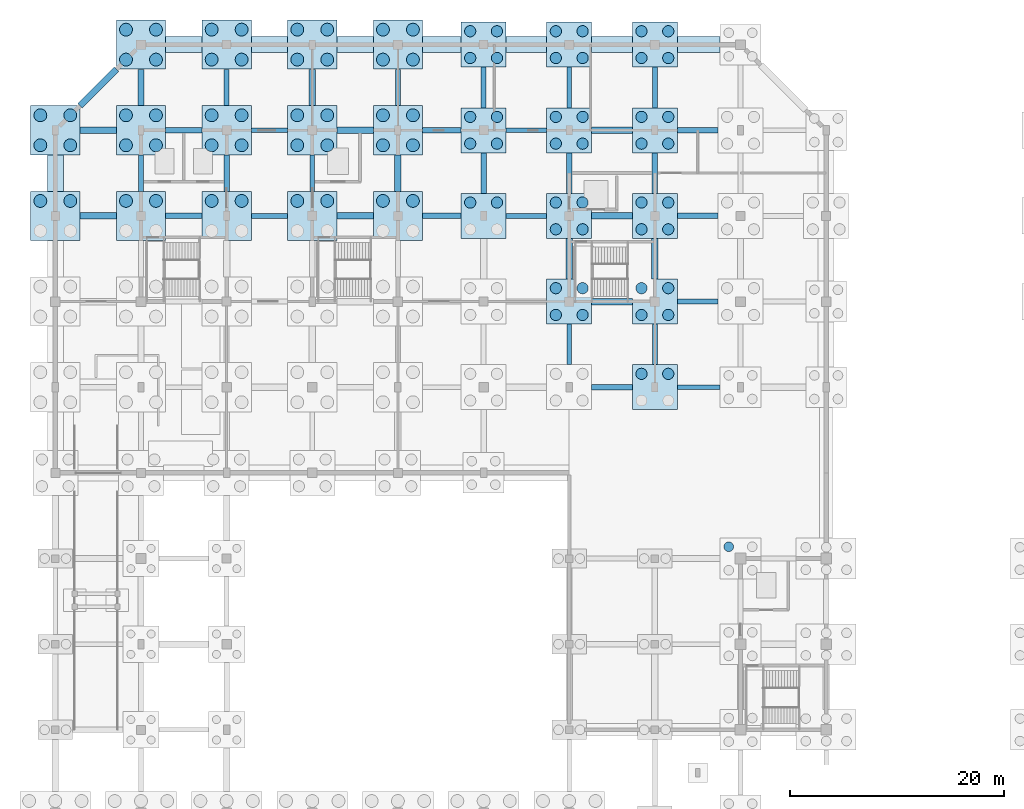
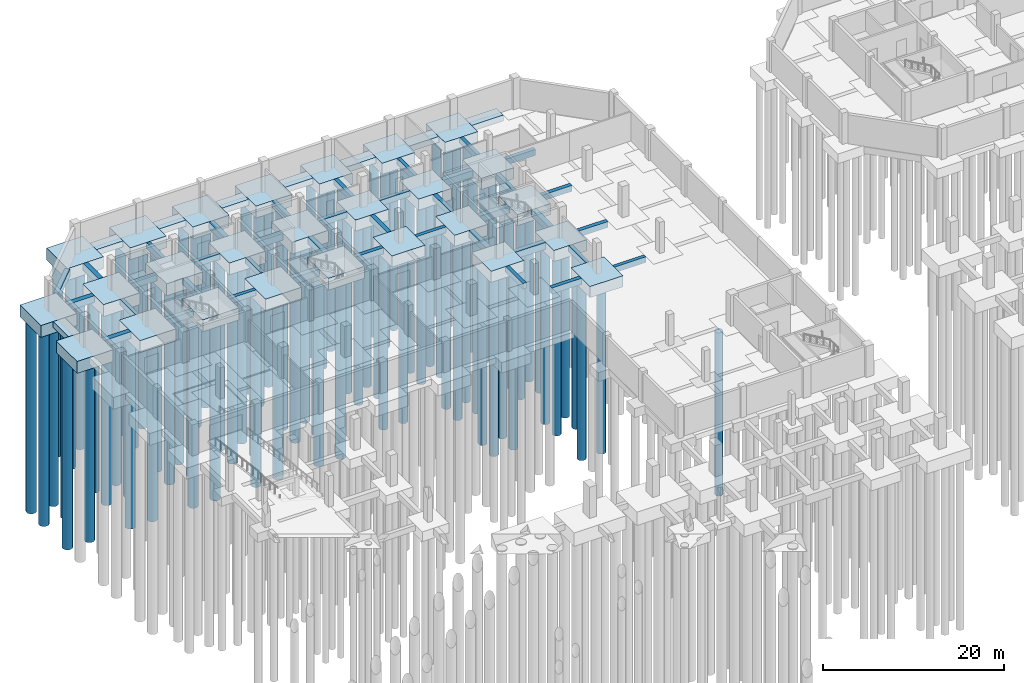
# One storey, part 6 of 32: 91 piles, 73 footings.
"""IFC4 building model written with IfcOpenShell, lengths in metres."""

from ifc_helpers import new_model, si_unit, direction, frame, origin, origin_2d, place, context, subcontext, project, spatial, polyline, rectangle, circle, outline, extrude, material, material_profile, profile_set, type_object, element, save


model = new_model("IFC4")

# Units and contexts
model_context = context("Model", 3, precision=1e-05, world=origin(), true_north=direction((0.0, 1.0)))
body_context = subcontext(model_context, "Body", "Model", "MODEL_VIEW")
ifc_project = project(units=[si_unit("LENGTHUNIT", "METRE"), si_unit("AREAUNIT", "SQUARE_METRE"), si_unit("VOLUMEUNIT", "CUBIC_METRE"), si_unit("PLANEANGLEUNIT", "RADIAN"), si_unit("MASSUNIT", "GRAM", prefix="KILO")], contexts=[model_context])

# Site, building, storey
site_placement = place(None, origin())
site = spatial("IfcSite", under=ifc_project, at=site_placement, CompositionType="ELEMENT")
building_placement = place(site_placement, origin())
building = spatial("IfcBuilding", under=site, at=building_placement, Name="Tenunan Teduh Sports Hall", CompositionType="ELEMENT")
storey_placement = place(building_placement, frame((0.0, 0.0, -4.199951171875)))
storey = spatial("IfcBuildingStorey", under=building, at=storey_placement, Name="B1", CompositionType="ELEMENT", Elevation=-4.199951171875)

# Footings
ifc_material_1 = material(Name="Concrete C40/50", Category="concrete")
ifc_material_profile_1 = material_profile(ifc_material_1, rectangle(XDim=0.449951171875, YDim=0.75, at=origin_2d()), Name="RCB 450x750")
ifc_profile_set_1 = profile_set([ifc_material_profile_1], Name="Concrete C40/50")
footing_type_1 = type_object("IfcFootingType", Name="GB-450x750", PredefinedType="FOOTING_BEAM", material=ifc_profile_set_1)
footing_1_placement = place(storey_placement, frame((64.10205078125, 86.0, -0.375), z_axis=(1.0, 0.0, 0.0), x_axis=(0.0, 1.0, 0.0)))
element("IfcFooting", 1, at=footing_1_placement, inside=storey, type_object=footing_type_1, Name="FTG-GBX-108", PredefinedType="FOOTING_BEAM", context=body_context, shape_type="SweptSolid", body=[
    extrude(rectangle(XDim=0.449951171875, YDim=0.75, at=origin_2d()), origin(), (0.0, 0.0, 1.0), 3.995849609375),
])
footing_2_placement = place(storey_placement, frame((24.302001953125, 102.0, -0.375), z_axis=(1.0, 0.0, 0.0), x_axis=(0.0, 1.0, 0.0)))
element("IfcFooting", 2, at=footing_2_placement, inside=storey, type_object=footing_type_1, Name="FTG-GBX-131", PredefinedType="FOOTING_BEAM", context=body_context, shape_type="SweptSolid", body=[
    extrude(rectangle(XDim=0.449951171875, YDim=0.75, at=origin_2d()), origin(), (0.0, 0.0, 1.0), 3.39599609375),
])
footing_3_placement = place(storey_placement, frame((48.10205078125, 102.0, -0.375), z_axis=(1.0, 0.0, 0.0), x_axis=(0.0, 1.0, 0.0)))
element("IfcFooting", 3, at=footing_3_placement, inside=storey, type_object=footing_type_1, Name="FTG-GBX-134", PredefinedType="FOOTING_BEAM", context=body_context, shape_type="SweptSolid", body=[
    extrude(rectangle(XDim=0.449951171875, YDim=0.75, at=origin_2d()), origin(), (0.0, 0.0, 1.0), 3.7958984375),
])
footing_4_placement = place(storey_placement, frame((24.302001953125, 110.0, -0.375), z_axis=(1.0, 0.0, 0.0), x_axis=(0.0, 1.0, 0.0)))
element("IfcFooting", 4, at=footing_4_placement, inside=storey, type_object=footing_type_1, Name="FTG-GBX-149", PredefinedType="FOOTING_BEAM", context=body_context, shape_type="SweptSolid", body=[
    extrude(rectangle(XDim=0.449951171875, YDim=0.75, at=origin_2d()), origin(), (0.0, 0.0, 1.0), 3.39599609375),
])
footing_5_placement = place(storey_placement, frame((48.10205078125, 110.0, -0.375), z_axis=(1.0, 0.0, 0.0), x_axis=(0.0, 1.0, 0.0)))
element("IfcFooting", 5, at=footing_5_placement, inside=storey, type_object=footing_type_1, Name="FTG-GBX-152", PredefinedType="FOOTING_BEAM", context=body_context, shape_type="SweptSolid", body=[
    extrude(rectangle(XDim=0.449951171875, YDim=0.75, at=origin_2d()), origin(), (0.0, 0.0, 1.0), 3.7958984375),
])
for number, where, z_axis, x_axis, name in (
    (6, (14.0, 104.302001953125, -0.375), (0.0, 1.0, 0.0), (-1.0, 0.0, 0.0), "FTG-GBY-189"),
    (7, (22.0, 112.302001953125, -0.375), (0.0, 1.0, 0.0), (-1.0, 0.0, 0.0), "FTG-GBY-201"),
    (8, (30.0, 104.302001953125, -0.375), (0.0, 1.0, 0.0), (-1.0, 0.0, 0.0), "FTG-GBY-207"),
):
    element("IfcFooting", number, at=place(storey_placement, frame(where, z_axis=z_axis, x_axis=x_axis)), inside=storey, type_object=footing_type_1, Name=name, PredefinedType="FOOTING_BEAM", context=body_context, shape_type="SweptSolid", body=[
        extrude(rectangle(XDim=0.449951171875, YDim=0.75, at=origin_2d()), origin(), (0.0, 0.0, 1.0), 3.39599609375),
    ])
for number, where, z_axis, x_axis, name in (
    (9, (46.0, 112.10205078125, -0.375), (0.0, 1.0, 0.0), (-1.0, 0.0, 0.0), "FTG-GBY-222"),
    (10, (54.0, 88.10205078125, -0.375), (0.0, 1.0, 0.0), (-1.0, 0.0, 0.0), "FTG-GBY-231"),
    (11, (54.0, 112.10205078125, -0.375), (0.0, 1.0, 0.0), (-1.0, 0.0, 0.0), "FTG-GBY-234"),
    (12, (62.0, 88.10205078125, -0.375), (0.0, 1.0, 0.0), (-1.0, 0.0, 0.0), "FTG-GBY-240"),
    (13, (62.0, 112.10205078125, -0.375), (0.0, 1.0, 0.0), (-1.0, 0.0, 0.0), "FTG-GBY-243"),
):
    element("IfcFooting", number, at=place(storey_placement, frame(where, z_axis=z_axis, x_axis=x_axis)), inside=storey, type_object=footing_type_1, Name=name, PredefinedType="FOOTING_BEAM", context=body_context, shape_type="SweptSolid", body=[
        extrude(rectangle(XDim=0.449951171875, YDim=0.75, at=origin_2d()), origin(), (0.0, 0.0, 1.0), 3.7958984375),
    ])
ifc_material_2 = material(Name="Concrete C40/50", Category="concrete")
ifc_material_profile_2 = material_profile(ifc_material_2, rectangle(XDim=0.5, YDim=0.800048828125, at=origin_2d()), Name="RCB 500x800")
ifc_profile_set_2 = profile_set([ifc_material_profile_2], Name="Concrete C40/50")
footing_type_2 = type_object("IfcFootingType", Name="GB-500x800", PredefinedType="FOOTING_BEAM", material=ifc_profile_set_2)
for number, where, z_axis, x_axis, name in (
    (14, (56.10205078125, 86.0, -0.400146484375), (1.0, 0.0, 0.0), (0.0, 1.0, 0.0), "FTG-GBX-107"),
    (15, (64.10205078125, 94.0, -0.400146484375), (1.0, 0.0, 0.0), (0.0, 1.0, 0.0), "FTG-GBX-118"),
):
    element("IfcFooting", number, at=place(storey_placement, frame(where, z_axis=z_axis, x_axis=x_axis)), inside=storey, type_object=footing_type_2, Name=name, PredefinedType="FOOTING_BEAM", context=body_context, shape_type="SweptSolid", body=[
        extrude(rectangle(XDim=0.5, YDim=0.800048828125, at=origin_2d()), origin(), (0.0, 0.0, 1.0), 3.7958984375),
    ])
footing_6_placement = place(storey_placement, frame((16.302001953125, 102.0, -0.400146484375), z_axis=(1.0, 0.0, 0.0), x_axis=(0.0, 1.0, 0.0)))
element("IfcFooting", 16, at=footing_6_placement, inside=storey, type_object=footing_type_2, Name="FTG-GBX-130", PredefinedType="FOOTING_BEAM", context=body_context, shape_type="SweptSolid", body=[
    extrude(rectangle(XDim=0.5, YDim=0.800048828125, at=origin_2d()), origin(), (0.0, 0.0, 1.0), 3.39599609375),
])
footing_7_placement = place(storey_placement, frame((40.302001953125, 102.0, -0.400146484375), z_axis=(1.0, 0.0, 0.0), x_axis=(0.0, 1.0, 0.0)))
element("IfcFooting", 17, at=footing_7_placement, inside=storey, type_object=footing_type_2, Name="FTG-GBX-133", PredefinedType="FOOTING_BEAM", context=body_context, shape_type="SweptSolid", body=[
    extrude(rectangle(XDim=0.5, YDim=0.800048828125, at=origin_2d()), origin(), (0.0, 0.0, 1.0), 3.595947265625),
])
footing_8_placement = place(storey_placement, frame((64.10205078125, 102.0, -0.400146484375), z_axis=(1.0, 0.0, 0.0), x_axis=(0.0, 1.0, 0.0)))
element("IfcFooting", 18, at=footing_8_placement, inside=storey, type_object=footing_type_2, Name="FTG-GBX-136", PredefinedType="FOOTING_BEAM", context=body_context, shape_type="SweptSolid", body=[
    extrude(rectangle(XDim=0.5, YDim=0.800048828125, at=origin_2d()), origin(), (0.0, 0.0, 1.0), 3.7958984375),
])
footing_9_placement = place(storey_placement, frame((16.302001953125, 110.0, -0.400146484375), z_axis=(1.0, 0.0, 0.0), x_axis=(0.0, 1.0, 0.0)))
element("IfcFooting", 19, at=footing_9_placement, inside=storey, type_object=footing_type_2, Name="FTG-GBX-148", PredefinedType="FOOTING_BEAM", context=body_context, shape_type="SweptSolid", body=[
    extrude(rectangle(XDim=0.5, YDim=0.800048828125, at=origin_2d()), origin(), (0.0, 0.0, 1.0), 3.39599609375),
])
footing_10_placement = place(storey_placement, frame((40.302001953125, 110.0, -0.400146484375), z_axis=(1.0, 0.0, 0.0), x_axis=(0.0, 1.0, 0.0)))
element("IfcFooting", 20, at=footing_10_placement, inside=storey, type_object=footing_type_2, Name="FTG-GBX-151", PredefinedType="FOOTING_BEAM", context=body_context, shape_type="SweptSolid", body=[
    extrude(rectangle(XDim=0.5, YDim=0.800048828125, at=origin_2d()), origin(), (0.0, 0.0, 1.0), 3.595947265625),
])
footing_11_placement = place(storey_placement, frame((64.10205078125, 110.0, -0.400146484375), z_axis=(1.0, 0.0, 0.0), x_axis=(0.0, 1.0, 0.0)))
element("IfcFooting", 21, at=footing_11_placement, inside=storey, type_object=footing_type_2, Name="FTG-GBX-154", PredefinedType="FOOTING_BEAM", context=body_context, shape_type="SweptSolid", body=[
    extrude(rectangle(XDim=0.5, YDim=0.800048828125, at=origin_2d()), origin(), (0.0, 0.0, 1.0), 3.7958984375),
])
for number, where, z_axis, x_axis, name in (
    (22, (22.0, 104.302001953125, -0.400146484375), (0.0, 1.0, 0.0), (-1.0, 0.0, 0.0), "FTG-GBY-200"),
    (23, (38.0, 112.302001953125, -0.400146484375), (0.0, 1.0, 0.0), (-1.0, 0.0, 0.0), "FTG-GBY-215"),
):
    element("IfcFooting", number, at=place(storey_placement, frame(where, z_axis=z_axis, x_axis=x_axis)), inside=storey, type_object=footing_type_2, Name=name, PredefinedType="FOOTING_BEAM", context=body_context, shape_type="SweptSolid", body=[
        extrude(rectangle(XDim=0.5, YDim=0.800048828125, at=origin_2d()), origin(), (0.0, 0.0, 1.0), 3.39599609375),
    ])
for number, where, z_axis, x_axis, name in (
    (24, (46.0, 104.10205078125, -0.400146484375), (0.0, 1.0, 0.0), (-1.0, 0.0, 0.0), "FTG-GBY-221"),
    (25, (54.0, 104.10205078125, -0.400146484375), (0.0, 1.0, 0.0), (-1.0, 0.0, 0.0), "FTG-GBY-233"),
    (26, (62.0, 104.10205078125, -0.400146484375), (0.0, 1.0, 0.0), (-1.0, 0.0, 0.0), "FTG-GBY-242"),
):
    element("IfcFooting", number, at=place(storey_placement, frame(where, z_axis=z_axis, x_axis=x_axis)), inside=storey, type_object=footing_type_2, Name=name, PredefinedType="FOOTING_BEAM", context=body_context, shape_type="SweptSolid", body=[
        extrude(rectangle(XDim=0.5, YDim=0.800048828125, at=origin_2d()), origin(), (0.0, 0.0, 1.0), 3.7958984375),
    ])
ifc_material_3 = material(Name="Concrete C40/50", Category="concrete")
ifc_material_profile_3 = material_profile(ifc_material_3, rectangle(XDim=0.60009765625, YDim=0.89990234375, at=origin_2d()), Name="RCB 600x900")
ifc_profile_set_3 = profile_set([ifc_material_profile_3], Name="Concrete C40/50")
footing_type_3 = type_object("IfcFootingType", Name="GB-600x900", PredefinedType="FOOTING_BEAM", material=ifc_profile_set_3)
footing_12_placement = place(storey_placement, frame((56.10205078125, 94.0, -0.449951171875), z_axis=(1.0, 0.0, 0.0), x_axis=(0.0, 1.0, 0.0)))
element("IfcFooting", 27, at=footing_12_placement, inside=storey, type_object=footing_type_3, Name="FTG-GBX-117", PredefinedType="FOOTING_BEAM", context=body_context, shape_type="SweptSolid", body=[
    extrude(rectangle(XDim=0.60009765625, YDim=0.89990234375, at=origin_2d()), origin(), (0.0, 0.0, 1.0), 3.7958984375),
])
for number, where, z_axis, x_axis, name in (
    (28, (8.302001953125, 102.0, -0.449951171875), (1.0, 0.0, 0.0), (0.0, 1.0, 0.0), "FTG-GBX-129"),
    (29, (32.302001953125, 102.0, -0.449951171875), (1.0, 0.0, 0.0), (0.0, 1.0, 0.0), "FTG-GBX-132"),
):
    element("IfcFooting", number, at=place(storey_placement, frame(where, z_axis=z_axis, x_axis=x_axis)), inside=storey, type_object=footing_type_3, Name=name, PredefinedType="FOOTING_BEAM", context=body_context, shape_type="SweptSolid", body=[
        extrude(rectangle(XDim=0.60009765625, YDim=0.89990234375, at=origin_2d()), origin(), (0.0, 0.0, 1.0), 3.39599609375),
    ])
footing_13_placement = place(storey_placement, frame((56.10205078125, 102.0, -0.449951171875), z_axis=(1.0, 0.0, 0.0), x_axis=(0.0, 1.0, 0.0)))
element("IfcFooting", 30, at=footing_13_placement, inside=storey, type_object=footing_type_3, Name="FTG-GBX-135", PredefinedType="FOOTING_BEAM", context=body_context, shape_type="SweptSolid", body=[
    extrude(rectangle(XDim=0.60009765625, YDim=0.89990234375, at=origin_2d()), origin(), (0.0, 0.0, 1.0), 3.7958984375),
])
for number, where, z_axis, x_axis, name in (
    (31, (8.302001953125, 110.0, -0.449951171875), (1.0, 0.0, 0.0), (0.0, 1.0, 0.0), "FTG-GBX-147"),
    (32, (32.302001953125, 110.0, -0.449951171875), (1.0, 0.0, 0.0), (0.0, 1.0, 0.0), "FTG-GBX-150"),
):
    element("IfcFooting", number, at=place(storey_placement, frame(where, z_axis=z_axis, x_axis=x_axis)), inside=storey, type_object=footing_type_3, Name=name, PredefinedType="FOOTING_BEAM", context=body_context, shape_type="SweptSolid", body=[
        extrude(rectangle(XDim=0.60009765625, YDim=0.89990234375, at=origin_2d()), origin(), (0.0, 0.0, 1.0), 3.39599609375),
    ])
footing_14_placement = place(storey_placement, frame((56.10205078125, 110.0, -0.449951171875), z_axis=(1.0, 0.0, 0.0), x_axis=(0.0, 1.0, 0.0)))
element("IfcFooting", 33, at=footing_14_placement, inside=storey, type_object=footing_type_3, Name="FTG-GBX-153", PredefinedType="FOOTING_BEAM", context=body_context, shape_type="SweptSolid", body=[
    extrude(rectangle(XDim=0.60009765625, YDim=0.89990234375, at=origin_2d()), origin(), (0.0, 0.0, 1.0), 3.7958984375),
])
for number, where, z_axis, x_axis, name in (
    (34, (14.0, 112.302001953125, -0.449951171875), (0.0, 1.0, 0.0), (-1.0, 0.0, 0.0), "FTG-GBY-190"),
    (35, (30.0, 112.302001953125, -0.449951171875), (0.0, 1.0, 0.0), (-1.0, 0.0, 0.0), "FTG-GBY-208"),
    (36, (38.0, 104.302001953125, -0.449951171875), (0.0, 1.0, 0.0), (-1.0, 0.0, 0.0), "FTG-GBY-214"),
):
    element("IfcFooting", number, at=place(storey_placement, frame(where, z_axis=z_axis, x_axis=x_axis)), inside=storey, type_object=footing_type_3, Name=name, PredefinedType="FOOTING_BEAM", context=body_context, shape_type="SweptSolid", body=[
        extrude(rectangle(XDim=0.60009765625, YDim=0.89990234375, at=origin_2d()), origin(), (0.0, 0.0, 1.0), 3.39599609375),
    ])
for number, where, z_axis, x_axis, name in (
    (37, (54.0, 96.10205078125, -0.449951171875), (0.0, 1.0, 0.0), (-1.0, 0.0, 0.0), "FTG-GBY-232"),
    (38, (62.0, 96.10205078125, -0.449951171875), (0.0, 1.0, 0.0), (-1.0, 0.0, 0.0), "FTG-GBY-241"),
):
    element("IfcFooting", number, at=place(storey_placement, frame(where, z_axis=z_axis, x_axis=x_axis)), inside=storey, type_object=footing_type_3, Name=name, PredefinedType="FOOTING_BEAM", context=body_context, shape_type="SweptSolid", body=[
        extrude(rectangle(XDim=0.60009765625, YDim=0.89990234375, at=origin_2d()), origin(), (0.0, 0.0, 1.0), 3.7958984375),
    ])
footing_15_placement = place(storey_placement, frame((8.302001953125, 112.302001953125, -0.449951171875), z_axis=(0.707106781187, 0.707106781187, 0.0), x_axis=(-0.707106781187, 0.707106781187, 0.0)))
element("IfcFooting", 39, at=footing_15_placement, inside=storey, type_object=footing_type_3, Name="FTG-GBD-341", PredefinedType="FOOTING_BEAM", context=body_context, shape_type="SweptSolid", body=[
    extrude(rectangle(XDim=0.60009765625, YDim=0.89990234375, at=origin_2d()), origin(), (0.0, 0.0, 1.0), 4.802734375),
])
ifc_material_4 = material(Name="Concrete C40/50", Category="concrete")
footing_type_4 = type_object("IfcFootingType", Name="PC-4C", PredefinedType="PILE_CAP", material=ifc_material_4)
for number, where, z_axis, x_axis, name in (
    (40, (46.0, 102.0, -1.5), (0.0, 0.0, 1.0), (1.0, 0.0, 0.0), "FTG-PC-068"),
    (41, (46.0, 110.0, -1.5), (0.0, 0.0, 1.0), (1.0, 0.0, 0.0), "FTG-PC-069"),
    (42, (46.0, 118.0, -1.5), (0.0, 0.0, 1.0), (1.0, 0.0, 0.0), "FTG-PC-070"),
    (43, (54.0, 94.0, -1.5), (0.0, 0.0, 1.0), (1.0, 0.0, 0.0), "FTG-PC-081"),
    (44, (54.0, 102.0, -1.5), (0.0, 0.0, 1.0), (1.0, 0.0, 0.0), "FTG-PC-082"),
    (45, (54.0, 110.0, -1.5), (0.0, 0.0, 1.0), (1.0, 0.0, 0.0), "FTG-PC-083"),
    (46, (54.0, 118.0, -1.5), (0.0, 0.0, 1.0), (1.0, 0.0, 0.0), "FTG-PC-084"),
    (47, (62.0, 86.0, -1.5), (0.0, 0.0, 1.0), (1.0, 0.0, 0.0), "FTG-PC-092"),
    (48, (62.0, 94.0, -1.5), (0.0, 0.0, 1.0), (1.0, 0.0, 0.0), "FTG-PC-093"),
    (49, (62.0, 102.0, -1.5), (0.0, 0.0, 1.0), (1.0, 0.0, 0.0), "FTG-PC-094"),
    (50, (62.0, 110.0, -1.5), (0.0, 0.0, 1.0), (1.0, 0.0, 0.0), "FTG-PC-095"),
    (51, (62.0, 118.0, -1.5), (0.0, 0.0, 1.0), (1.0, 0.0, 0.0), "FTG-PC-096"),
):
    element("IfcFooting", number, at=place(storey_placement, frame(where, z_axis=z_axis, x_axis=x_axis)), inside=storey, type_object=footing_type_4, Name=name, PredefinedType="PILE_CAP", context=body_context, shape_type="SweptSolid", body=[
        extrude(rectangle(XDim=4.199951171875, YDim=4.199951171875, at=origin_2d()), origin(), (0.0, 0.0, 1.0), 1.5),
    ])
ifc_material_5 = material(Name="Concrete C40/50", Category="concrete")
footing_type_5 = type_object("IfcFootingType", Name="PC-4D", PredefinedType="PILE_CAP", material=ifc_material_5)
for number, where, z_axis, x_axis, name in (
    (52, (6.0, 102.0, -1.60009765625), (0.0, 0.0, 1.0), (1.0, 0.0, 0.0), "FTG-PC-013"),
    (53, (6.0, 110.0, -1.60009765625), (0.0, 0.0, 1.0), (1.0, 0.0, 0.0), "FTG-PC-014"),
    (54, (14.0, 102.0, -1.60009765625), (0.0, 0.0, 1.0), (1.0, 0.0, 0.0), "FTG-PC-025"),
    (55, (14.0, 110.0, -1.60009765625), (0.0, 0.0, 1.0), (1.0, 0.0, 0.0), "FTG-PC-026"),
    (56, (14.0, 118.0, -1.60009765625), (0.0, 0.0, 1.0), (1.0, 0.0, 0.0), "FTG-PC-027"),
    (57, (22.0, 102.0, -1.60009765625), (0.0, 0.0, 1.0), (1.0, 0.0, 0.0), "FTG-PC-038"),
    (58, (22.0, 110.0, -1.60009765625), (0.0, 0.0, 1.0), (1.0, 0.0, 0.0), "FTG-PC-039"),
    (59, (22.0, 118.0, -1.60009765625), (0.0, 0.0, 1.0), (1.0, 0.0, 0.0), "FTG-PC-040"),
    (60, (30.0, 102.0, -1.60009765625), (0.0, 0.0, 1.0), (1.0, 0.0, 0.0), "FTG-PC-048"),
    (61, (30.0, 110.0, -1.60009765625), (0.0, 0.0, 1.0), (1.0, 0.0, 0.0), "FTG-PC-049"),
    (62, (30.0, 118.0, -1.60009765625), (0.0, 0.0, 1.0), (1.0, 0.0, 0.0), "FTG-PC-050"),
    (63, (38.0, 102.0, -1.60009765625), (0.0, 0.0, 1.0), (1.0, 0.0, 0.0), "FTG-PC-058"),
    (64, (38.0, 110.0, -1.60009765625), (0.0, 0.0, 1.0), (1.0, 0.0, 0.0), "FTG-PC-059"),
    (65, (38.0, 118.0, -1.60009765625), (0.0, 0.0, 1.0), (1.0, 0.0, 0.0), "FTG-PC-060"),
):
    element("IfcFooting", number, at=place(storey_placement, frame(where, z_axis=z_axis, x_axis=x_axis)), inside=storey, type_object=footing_type_5, Name=name, PredefinedType="PILE_CAP", context=body_context, shape_type="SweptSolid", body=[
        extrude(rectangle(XDim=4.60009765625, YDim=4.60009765625, at=origin_2d()), origin(), (0.0, 0.0, 1.0), 1.60009765625),
    ])

# Piles
ifc_material_6 = material(Name="Concrete C40/50", Category="concrete")
ifc_material_profile_4 = material_profile(ifc_material_6, circle(Radius=0.52490234375, at=origin_2d()), Name="PILE D1050")
ifc_profile_set_4 = profile_set([ifc_material_profile_4], Name="Concrete C40/50")
pile_type_1 = type_object("IfcPileType", Name="PILE-D1050", PredefinedType="BORED", material=ifc_profile_set_4)
for number, where, z_axis, x_axis, name in (
    (66, (44.75, 103.25, -1.400146484375), (0.0, 0.0, -1.0), (1.0, 0.0, 0.0), "PILE-PL-3-068-3"),
    (67, (47.25, 103.25, -1.400146484375), (0.0, 0.0, -1.0), (1.0, 0.0, 0.0), "PILE-PL-3-068-4"),
    (68, (44.75, 108.75, -1.400146484375), (0.0, 0.0, -1.0), (1.0, 0.0, 0.0), "PILE-PL-3-069-1"),
    (69, (47.25, 108.75, -1.400146484375), (0.0, 0.0, -1.0), (1.0, 0.0, 0.0), "PILE-PL-3-069-2"),
    (70, (44.75, 111.25, -1.400146484375), (0.0, 0.0, -1.0), (1.0, 0.0, 0.0), "PILE-PL-3-069-3"),
    (71, (47.25, 111.25, -1.400146484375), (0.0, 0.0, -1.0), (1.0, 0.0, 0.0), "PILE-PL-3-069-4"),
    (72, (44.75, 116.75, -1.400146484375), (0.0, 0.0, -1.0), (1.0, 0.0, 0.0), "PILE-PL-3-070-1"),
    (73, (47.25, 116.75, -1.400146484375), (0.0, 0.0, -1.0), (1.0, 0.0, 0.0), "PILE-PL-3-070-2"),
    (74, (44.75, 119.25, -1.400146484375), (0.0, 0.0, -1.0), (1.0, 0.0, 0.0), "PILE-PL-3-070-3"),
    (75, (47.25, 119.25, -1.400146484375), (0.0, 0.0, -1.0), (1.0, 0.0, 0.0), "PILE-PL-3-070-4"),
    (76, (52.75, 92.75, -1.400146484375), (0.0, 0.0, -1.0), (1.0, 0.0, 0.0), "PILE-PL-3-081-1"),
    (77, (55.25, 92.75, -1.400146484375), (0.0, 0.0, -1.0), (1.0, 0.0, 0.0), "PILE-PL-3-081-2"),
    (78, (52.75, 95.25, -1.400146484375), (0.0, 0.0, -1.0), (1.0, 0.0, 0.0), "PILE-PL-3-081-3"),
    (79, (55.25, 95.25, -1.400146484375), (0.0, 0.0, -1.0), (1.0, 0.0, 0.0), "PILE-PL-3-081-4"),
    (80, (52.75, 100.75, -1.400146484375), (0.0, 0.0, -1.0), (1.0, 0.0, 0.0), "PILE-PL-3-082-1"),
    (81, (55.25, 100.75, -1.400146484375), (0.0, 0.0, -1.0), (1.0, 0.0, 0.0), "PILE-PL-3-082-2"),
    (82, (52.75, 103.25, -1.400146484375), (0.0, 0.0, -1.0), (1.0, 0.0, 0.0), "PILE-PL-3-082-3"),
    (83, (55.25, 103.25, -1.400146484375), (0.0, 0.0, -1.0), (1.0, 0.0, 0.0), "PILE-PL-3-082-4"),
    (84, (52.75, 108.75, -1.400146484375), (0.0, 0.0, -1.0), (1.0, 0.0, 0.0), "PILE-PL-3-083-1"),
    (85, (55.25, 108.75, -1.400146484375), (0.0, 0.0, -1.0), (1.0, 0.0, 0.0), "PILE-PL-3-083-2"),
    (86, (52.75, 111.25, -1.400146484375), (0.0, 0.0, -1.0), (1.0, 0.0, 0.0), "PILE-PL-3-083-3"),
    (87, (55.25, 111.25, -1.400146484375), (0.0, 0.0, -1.0), (1.0, 0.0, 0.0), "PILE-PL-3-083-4"),
    (88, (52.75, 116.75, -1.400146484375), (0.0, 0.0, -1.0), (1.0, 0.0, 0.0), "PILE-PL-3-084-1"),
    (89, (55.25, 116.75, -1.400146484375), (0.0, 0.0, -1.0), (1.0, 0.0, 0.0), "PILE-PL-3-084-2"),
    (90, (52.75, 119.25, -1.400146484375), (0.0, 0.0, -1.0), (1.0, 0.0, 0.0), "PILE-PL-3-084-3"),
    (91, (55.25, 119.25, -1.400146484375), (0.0, 0.0, -1.0), (1.0, 0.0, 0.0), "PILE-PL-3-084-4"),
    (92, (60.75, 87.25, -1.400146484375), (0.0, 0.0, -1.0), (1.0, 0.0, 0.0), "PILE-PL-3-092-3"),
    (93, (63.25, 87.25, -1.400146484375), (0.0, 0.0, -1.0), (1.0, 0.0, 0.0), "PILE-PL-3-092-4"),
    (94, (60.75, 92.75, -1.400146484375), (0.0, 0.0, -1.0), (1.0, 0.0, 0.0), "PILE-PL-3-093-1"),
    (95, (63.25, 92.75, -1.400146484375), (0.0, 0.0, -1.0), (1.0, 0.0, 0.0), "PILE-PL-3-093-2"),
    (96, (60.75, 95.25, -1.400146484375), (0.0, 0.0, -1.0), (1.0, 0.0, 0.0), "PILE-PL-3-093-3"),
    (97, (63.25, 95.25, -1.400146484375), (0.0, 0.0, -1.0), (1.0, 0.0, 0.0), "PILE-PL-3-093-4"),
    (98, (60.75, 100.75, -1.400146484375), (0.0, 0.0, -1.0), (1.0, 0.0, 0.0), "PILE-PL-3-094-1"),
    (99, (63.25, 100.75, -1.400146484375), (0.0, 0.0, -1.0), (1.0, 0.0, 0.0), "PILE-PL-3-094-2"),
    (100, (60.75, 103.25, -1.400146484375), (0.0, 0.0, -1.0), (1.0, 0.0, 0.0), "PILE-PL-3-094-3"),
    (101, (63.25, 103.25, -1.400146484375), (0.0, 0.0, -1.0), (1.0, 0.0, 0.0), "PILE-PL-3-094-4"),
    (102, (60.75, 108.75, -1.400146484375), (0.0, 0.0, -1.0), (1.0, 0.0, 0.0), "PILE-PL-3-095-1"),
    (103, (63.25, 108.75, -1.400146484375), (0.0, 0.0, -1.0), (1.0, 0.0, 0.0), "PILE-PL-3-095-2"),
    (104, (60.75, 111.25, -1.400146484375), (0.0, 0.0, -1.0), (1.0, 0.0, 0.0), "PILE-PL-3-095-3"),
    (105, (63.25, 111.25, -1.400146484375), (0.0, 0.0, -1.0), (1.0, 0.0, 0.0), "PILE-PL-3-095-4"),
    (106, (60.75, 116.75, -1.400146484375), (0.0, 0.0, -1.0), (1.0, 0.0, 0.0), "PILE-PL-3-096-1"),
    (107, (63.25, 116.75, -1.400146484375), (0.0, 0.0, -1.0), (1.0, 0.0, 0.0), "PILE-PL-3-096-2"),
    (108, (60.75, 119.25, -1.400146484375), (0.0, 0.0, -1.0), (1.0, 0.0, 0.0), "PILE-PL-3-096-3"),
    (109, (63.25, 119.25, -1.400146484375), (0.0, 0.0, -1.0), (1.0, 0.0, 0.0), "PILE-PL-3-096-4"),
):
    element("IfcPile", number, at=place(storey_placement, frame(where, z_axis=z_axis, x_axis=x_axis)), inside=storey, type_object=pile_type_1, Name=name, PredefinedType="BORED", context=body_context, shape_type="SweptSolid", body=[
        extrude(circle(Radius=0.52490234375, at=origin_2d()), origin(), (0.0, 0.0, 1.0), 24.0),
    ])
ifc_material_7 = material(Name="Concrete C40/50", Category="concrete")
ifc_material_profile_5 = material_profile(ifc_material_7, circle(Radius=0.60009765625, at=origin_2d()), Name="PILE D1200")
ifc_profile_set_5 = profile_set([ifc_material_profile_5], Name="Concrete C40/50")
pile_type_2 = type_object("IfcPileType", Name="PILE-D1200", PredefinedType="BORED", material=ifc_profile_set_5)
for number, where, z_axis, x_axis, name in (
    (110, (4.60009765625, 103.39990234375, -1.5), (0.0, 0.0, -1.0), (1.0, 0.0, 0.0), "PILE-PL-4-013-3"),
    (111, (7.39990234375, 103.39990234375, -1.5), (0.0, 0.0, -1.0), (1.0, 0.0, 0.0), "PILE-PL-4-013-4"),
    (112, (4.60009765625, 108.60009765625, -1.5), (0.0, 0.0, -1.0), (1.0, 0.0, 0.0), "PILE-PL-4-014-1"),
    (113, (7.39990234375, 108.60009765625, -1.5), (0.0, 0.0, -1.0), (1.0, 0.0, 0.0), "PILE-PL-4-014-2"),
    (114, (4.60009765625, 111.39990234375, -1.5), (0.0, 0.0, -1.0), (1.0, 0.0, 0.0), "PILE-PL-4-014-3"),
    (115, (7.39990234375, 111.39990234375, -1.5), (0.0, 0.0, -1.0), (1.0, 0.0, 0.0), "PILE-PL-4-014-4"),
    (116, (12.60009765625, 103.39990234375, -1.5), (0.0, 0.0, -1.0), (1.0, 0.0, 0.0), "PILE-PL-4-025-3"),
    (117, (15.39990234375, 103.39990234375, -1.5), (0.0, 0.0, -1.0), (1.0, 0.0, 0.0), "PILE-PL-4-025-4"),
    (118, (12.60009765625, 108.60009765625, -1.5), (0.0, 0.0, -1.0), (1.0, 0.0, 0.0), "PILE-PL-4-026-1"),
    (119, (15.39990234375, 108.60009765625, -1.5), (0.0, 0.0, -1.0), (1.0, 0.0, 0.0), "PILE-PL-4-026-2"),
    (120, (12.60009765625, 111.39990234375, -1.5), (0.0, 0.0, -1.0), (1.0, 0.0, 0.0), "PILE-PL-4-026-3"),
    (121, (15.39990234375, 111.39990234375, -1.5), (0.0, 0.0, -1.0), (1.0, 0.0, 0.0), "PILE-PL-4-026-4"),
    (122, (12.60009765625, 116.60009765625, -1.5), (0.0, 0.0, -1.0), (1.0, 0.0, 0.0), "PILE-PL-4-027-1"),
    (123, (15.39990234375, 116.60009765625, -1.5), (0.0, 0.0, -1.0), (1.0, 0.0, 0.0), "PILE-PL-4-027-2"),
    (124, (12.60009765625, 119.39990234375, -1.5), (0.0, 0.0, -1.0), (1.0, 0.0, 0.0), "PILE-PL-4-027-3"),
    (125, (15.39990234375, 119.39990234375, -1.5), (0.0, 0.0, -1.0), (1.0, 0.0, 0.0), "PILE-PL-4-027-4"),
    (126, (20.60009765625, 103.39990234375, -1.5), (0.0, 0.0, -1.0), (1.0, 0.0, 0.0), "PILE-PL-4-038-3"),
    (127, (23.39990234375, 103.39990234375, -1.5), (0.0, 0.0, -1.0), (1.0, 0.0, 0.0), "PILE-PL-4-038-4"),
    (128, (20.60009765625, 108.60009765625, -1.5), (0.0, 0.0, -1.0), (1.0, 0.0, 0.0), "PILE-PL-4-039-1"),
    (129, (23.39990234375, 108.60009765625, -1.5), (0.0, 0.0, -1.0), (1.0, 0.0, 0.0), "PILE-PL-4-039-2"),
    (130, (20.60009765625, 111.39990234375, -1.5), (0.0, 0.0, -1.0), (1.0, 0.0, 0.0), "PILE-PL-4-039-3"),
    (131, (23.39990234375, 111.39990234375, -1.5), (0.0, 0.0, -1.0), (1.0, 0.0, 0.0), "PILE-PL-4-039-4"),
    (132, (20.60009765625, 116.60009765625, -1.5), (0.0, 0.0, -1.0), (1.0, 0.0, 0.0), "PILE-PL-4-040-1"),
    (133, (23.39990234375, 116.60009765625, -1.5), (0.0, 0.0, -1.0), (1.0, 0.0, 0.0), "PILE-PL-4-040-2"),
    (134, (20.60009765625, 119.39990234375, -1.5), (0.0, 0.0, -1.0), (1.0, 0.0, 0.0), "PILE-PL-4-040-3"),
    (135, (23.39990234375, 119.39990234375, -1.5), (0.0, 0.0, -1.0), (1.0, 0.0, 0.0), "PILE-PL-4-040-4"),
    (136, (28.60009765625, 103.39990234375, -1.5), (0.0, 0.0, -1.0), (1.0, 0.0, 0.0), "PILE-PL-4-048-3"),
    (137, (31.39990234375, 103.39990234375, -1.5), (0.0, 0.0, -1.0), (1.0, 0.0, 0.0), "PILE-PL-4-048-4"),
    (138, (28.60009765625, 108.60009765625, -1.5), (0.0, 0.0, -1.0), (1.0, 0.0, 0.0), "PILE-PL-4-049-1"),
    (139, (31.39990234375, 108.60009765625, -1.5), (0.0, 0.0, -1.0), (1.0, 0.0, 0.0), "PILE-PL-4-049-2"),
    (140, (28.60009765625, 111.39990234375, -1.5), (0.0, 0.0, -1.0), (1.0, 0.0, 0.0), "PILE-PL-4-049-3"),
    (141, (31.39990234375, 111.39990234375, -1.5), (0.0, 0.0, -1.0), (1.0, 0.0, 0.0), "PILE-PL-4-049-4"),
    (142, (28.60009765625, 116.60009765625, -1.5), (0.0, 0.0, -1.0), (1.0, 0.0, 0.0), "PILE-PL-4-050-1"),
    (143, (31.39990234375, 116.60009765625, -1.5), (0.0, 0.0, -1.0), (1.0, 0.0, 0.0), "PILE-PL-4-050-2"),
    (144, (28.60009765625, 119.39990234375, -1.5), (0.0, 0.0, -1.0), (1.0, 0.0, 0.0), "PILE-PL-4-050-3"),
    (145, (31.39990234375, 119.39990234375, -1.5), (0.0, 0.0, -1.0), (1.0, 0.0, 0.0), "PILE-PL-4-050-4"),
    (146, (36.60009765625, 103.39990234375, -1.5), (0.0, 0.0, -1.0), (1.0, 0.0, 0.0), "PILE-PL-4-058-3"),
    (147, (39.39990234375, 103.39990234375, -1.5), (0.0, 0.0, -1.0), (1.0, 0.0, 0.0), "PILE-PL-4-058-4"),
    (148, (36.60009765625, 108.60009765625, -1.5), (0.0, 0.0, -1.0), (1.0, 0.0, 0.0), "PILE-PL-4-059-1"),
    (149, (39.39990234375, 108.60009765625, -1.5), (0.0, 0.0, -1.0), (1.0, 0.0, 0.0), "PILE-PL-4-059-2"),
    (150, (36.60009765625, 111.39990234375, -1.5), (0.0, 0.0, -1.0), (1.0, 0.0, 0.0), "PILE-PL-4-059-3"),
    (151, (39.39990234375, 111.39990234375, -1.5), (0.0, 0.0, -1.0), (1.0, 0.0, 0.0), "PILE-PL-4-059-4"),
    (152, (36.60009765625, 116.60009765625, -1.5), (0.0, 0.0, -1.0), (1.0, 0.0, 0.0), "PILE-PL-4-060-1"),
    (153, (39.39990234375, 116.60009765625, -1.5), (0.0, 0.0, -1.0), (1.0, 0.0, 0.0), "PILE-PL-4-060-2"),
    (154, (36.60009765625, 119.39990234375, -1.5), (0.0, 0.0, -1.0), (1.0, 0.0, 0.0), "PILE-PL-4-060-3"),
    (155, (39.39990234375, 119.39990234375, -1.5), (0.0, 0.0, -1.0), (1.0, 0.0, 0.0), "PILE-PL-4-060-4"),
):
    element("IfcPile", number, at=place(storey_placement, frame(where, z_axis=z_axis, x_axis=x_axis)), inside=storey, type_object=pile_type_2, Name=name, PredefinedType="BORED", context=body_context, shape_type="SweptSolid", body=[
        extrude(circle(Radius=0.60009765625, at=origin_2d()), origin(), (0.0, 0.0, 1.0), 26.0),
    ])
ifc_material_8 = material(Name="Concrete C40/50", Category="concrete")
ifc_material_profile_6 = material_profile(ifc_material_8, circle(Radius=0.449951171875, at=origin_2d()), Name="PILE D900")
ifc_profile_set_6 = profile_set([ifc_material_profile_6], Name="Concrete C40/50")
pile_type_3 = type_object("IfcPileType", Name="PILE-D900", PredefinedType="BORED", material=ifc_profile_set_6)
pile_placement = place(storey_placement, frame((68.89990234375, 71.10009765625, -1.300048828125), z_axis=(0.0, 0.0, -1.0), x_axis=(1.0, 0.0, 0.0)))
element("IfcPile", 156, at=pile_placement, inside=storey, type_object=pile_type_3, Name="PILE-PL-2-103-3", PredefinedType="BORED", context=body_context, shape_type="SweptSolid", body=[
    extrude(circle(Radius=0.449951171875, at=origin_2d()), origin(), (0.0, 0.0, 1.0), 22.0),
])

# Footings
ifc_material_9 = material(Name="Concrete C40/50", Category="concrete")
footing_type_6 = type_object("IfcFootingType", Name="SF-1500x800", PredefinedType="STRIP_FOOTING", material=ifc_material_9)
footing_16_placement = place(storey_placement, frame((0.0, 0.0, -0.800048828125)))
element("IfcFooting", 157, at=footing_16_placement, inside=storey, type_object=footing_type_6, Name="FTG-SF-02-04", PredefinedType="STRIP_FOOTING", context=body_context, shape_type="SweptSolid", body=[
    extrude(outline(polyline([(6.75, 104.302001953125), (6.75, 107.697998046875), (5.25, 107.697998046875), (5.25, 104.302001953125), (6.75, 104.302001953125)])), origin(), (0.0, 0.0, 1.0), 0.800048828125),
])
footing_17_placement = place(storey_placement, frame((0.0, 0.0, -0.800048828125)))
element("IfcFooting", 158, at=footing_17_placement, inside=storey, type_object=footing_type_6, Name="FTG-SF-03-01", PredefinedType="STRIP_FOOTING", context=body_context, shape_type="SweptSolid", body=[
    extrude(outline(polyline([(16.302001953125, 117.25), (19.697998046875, 117.25), (19.697998046875, 118.75), (16.302001953125, 118.75), (16.302001953125, 117.25)])), origin(), (0.0, 0.0, 1.0), 0.800048828125),
])
footing_18_placement = place(storey_placement, frame((0.0, 0.0, -0.800048828125)))
element("IfcFooting", 159, at=footing_18_placement, inside=storey, type_object=footing_type_6, Name="FTG-SF-03-02", PredefinedType="STRIP_FOOTING", context=body_context, shape_type="SweptSolid", body=[
    extrude(outline(polyline([(24.302001953125, 117.25), (27.697998046875, 117.25), (27.697998046875, 118.75), (24.302001953125, 118.75), (24.302001953125, 117.25)])), origin(), (0.0, 0.0, 1.0), 0.800048828125),
])
footing_19_placement = place(storey_placement, frame((0.0, 0.0, -0.800048828125)))
element("IfcFooting", 160, at=footing_19_placement, inside=storey, type_object=footing_type_6, Name="FTG-SF-03-03", PredefinedType="STRIP_FOOTING", context=body_context, shape_type="SweptSolid", body=[
    extrude(outline(polyline([(32.302001953125, 117.25), (35.697998046875, 117.25), (35.697998046875, 118.75), (32.302001953125, 118.75), (32.302001953125, 117.25)])), origin(), (0.0, 0.0, 1.0), 0.800048828125),
])
footing_20_placement = place(storey_placement, frame((0.0, 0.0, -0.800048828125)))
element("IfcFooting", 161, at=footing_20_placement, inside=storey, type_object=footing_type_6, Name="FTG-SF-03-04", PredefinedType="STRIP_FOOTING", context=body_context, shape_type="SweptSolid", body=[
    extrude(outline(polyline([(40.302001953125, 117.25), (43.89794921875, 117.25), (43.89794921875, 118.75), (40.302001953125, 118.75), (40.302001953125, 117.25)])), origin(), (0.0, 0.0, 1.0), 0.800048828125),
])
footing_21_placement = place(storey_placement, frame((0.0, 0.0, -0.800048828125)))
element("IfcFooting", 162, at=footing_21_placement, inside=storey, type_object=footing_type_6, Name="FTG-SF-03-05", PredefinedType="STRIP_FOOTING", context=body_context, shape_type="SweptSolid", body=[
    extrude(outline(polyline([(48.10205078125, 117.25), (51.89794921875, 117.25), (51.89794921875, 118.75), (48.10205078125, 118.75), (48.10205078125, 117.25)])), origin(), (0.0, 0.0, 1.0), 0.800048828125),
])
footing_22_placement = place(storey_placement, frame((0.0, 0.0, -0.800048828125)))
element("IfcFooting", 163, at=footing_22_placement, inside=storey, type_object=footing_type_6, Name="FTG-SF-03-06", PredefinedType="STRIP_FOOTING", context=body_context, shape_type="SweptSolid", body=[
    extrude(outline(polyline([(56.10205078125, 117.25), (59.89794921875, 117.25), (59.89794921875, 118.75), (56.10205078125, 118.75), (56.10205078125, 117.25)])), origin(), (0.0, 0.0, 1.0), 0.800048828125),
])
footing_23_placement = place(storey_placement, frame((0.0, 0.0, -0.800048828125)))
element("IfcFooting", 164, at=footing_23_placement, inside=storey, type_object=footing_type_6, Name="FTG-SF-03-07", PredefinedType="STRIP_FOOTING", context=body_context, shape_type="SweptSolid", body=[
    extrude(outline(polyline([(64.10205078125, 117.25), (68.097900390625, 117.25), (68.097900390625, 118.75), (64.10205078125, 118.75), (64.10205078125, 117.25)])), origin(), (0.0, 0.0, 1.0), 0.800048828125),
])

save(model, "model.ifc")
